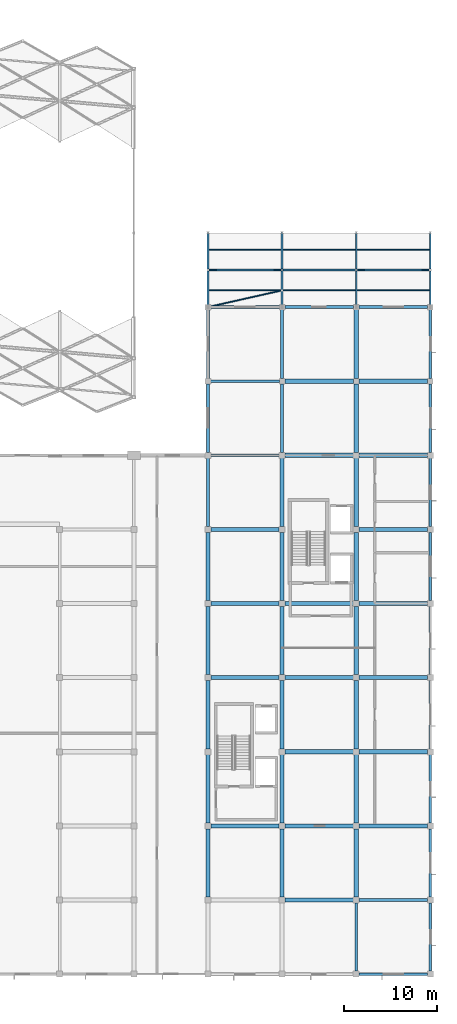
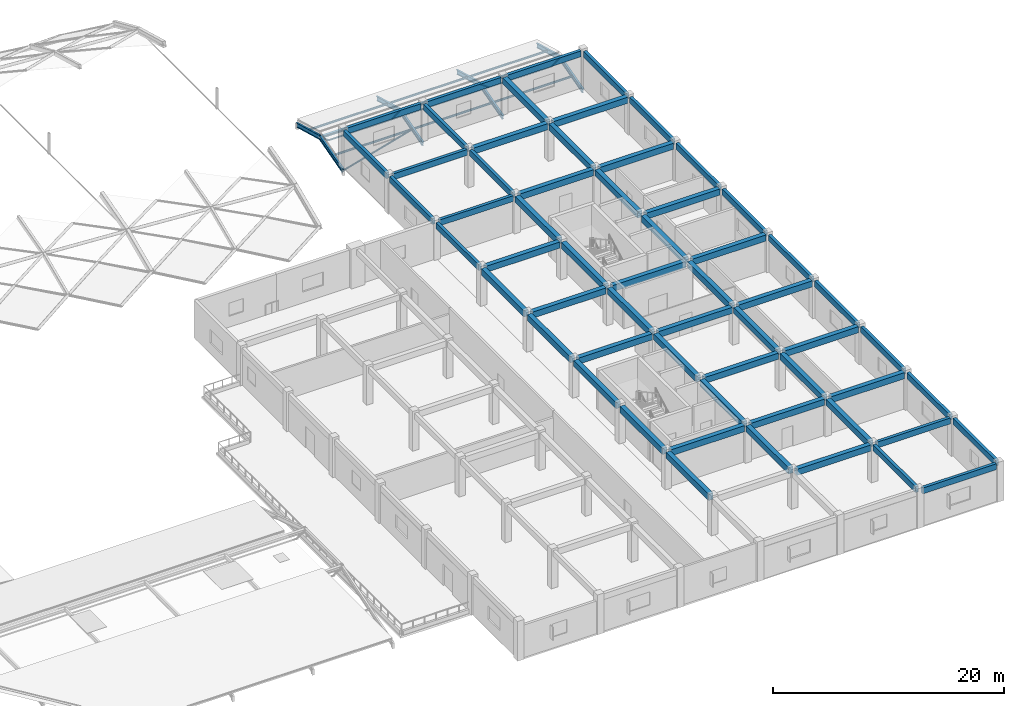
# One storey, part 17 of 54: 67 beams, 15 members.
"""IFC4 building model written with IfcOpenShell, lengths in metres."""

import ifcopenshell
import ifcopenshell.guid

model = None  # the IFC model being written
_history = None  # IfcOwnerHistory: only IFC2X3 demands one
_inside = {}  # id of a spatial element -> (the spatial element, [elements in it])
_under = {}  # id of a project, library or spatial element -> (it, [spatial elements below it])
_declared = {}  # id of a project -> (the project, [libraries it declares])
_typed = {}  # id of a type object -> (the type object, [elements of that type])
_made_of = {}  # id of a material, layer set ... -> (it, [elements and type objects made of it])


def new_model(schema):
    """Start an empty IFC model of exactly this schema.

    Asked for "IFC4X3", IfcOpenShell would pick the latest addendum, in which some entities
    have other attributes; the version numbers below select the first issue.
    IFC2X3 requires an IfcOwnerHistory on every rooted entity: one is made here for all.
    """
    global model, _history
    if schema == "IFC4X3":
        model = ifcopenshell.file(schema_version=(4, 3, 0, 0))
    else:
        model = ifcopenshell.file(schema=schema)
    _inside.clear()
    _under.clear()
    _declared.clear()
    _typed.clear()
    _made_of.clear()
    _history = None
    if model.schema == "IFC2X3":
        org = make("IfcOrganization", Name="unknown")
        user = make(
            "IfcPersonAndOrganization",
            ThePerson=make("IfcPerson", FamilyName="unknown"),
            TheOrganization=org,
        )
        app = make(
            "IfcApplication",
            ApplicationDeveloper=org,
            Version="unknown",
            ApplicationFullName="unknown",
            ApplicationIdentifier="unknown",
        )
        _history = make(
            "IfcOwnerHistory",
            OwningUser=user,
            OwningApplication=app,
            ChangeAction="ADDED",
            CreationDate=0,
        )
    return model


def make(cls, **values):
    """One entity of the class cls with the attributes given. An attribute that is None is left unset."""
    return model.create_entity(
        cls, **{name: value for name, value in values.items() if value is not None}
    )


def rooted(cls, **values):
    """An entity with a GlobalId (a new one), such as an element, a storey or a relation."""
    return make(cls, GlobalId=ifcopenshell.guid.new(), OwnerHistory=_history, **values)


def si_unit(unit_type, name, prefix=None):
    """IfcSIUnit, for example si_unit("LENGTHUNIT", "METRE", prefix="MILLI")."""
    return make("IfcSIUnit", UnitType=unit_type, Prefix=prefix, Name=name)


def assignment(units):
    """IfcUnitAssignment: the units of a project."""
    return None if units is None else make("IfcUnitAssignment", Units=units)


def point(xyz):
    """IfcCartesianPoint."""
    return None if xyz is None else make("IfcCartesianPoint", Coordinates=xyz)


def direction(xyz):
    """IfcDirection."""
    return None if xyz is None else make("IfcDirection", DirectionRatios=xyz)


def frame(location, z_axis=None, x_axis=None):
    """IfcAxis2Placement3D, a coordinate frame: its origin and axes. An axis left out is left unset."""
    return make(
        "IfcAxis2Placement3D",
        Location=point(location),
        Axis=direction(z_axis),
        RefDirection=direction(x_axis),
    )


def frame_2d(location, x_axis=None):
    """IfcAxis2Placement2D, a coordinate frame in the plane: its origin and x axis."""
    return make(
        "IfcAxis2Placement2D", Location=point(location), RefDirection=direction(x_axis)
    )


def origin():
    """The frame at (0, 0, 0) with its axes left unset."""
    return frame((0.0, 0.0, 0.0))


def origin_2d():
    """The frame at (0, 0) in the plane with its x axis left unset."""
    return frame_2d((0.0, 0.0))


def place(relative_to, where):
    """IfcLocalPlacement: puts the frame where relative to a parent placement (None: the world)."""
    return make(
        "IfcLocalPlacement", PlacementRelTo=relative_to, RelativePlacement=where
    )


def context(
    kind, dimensions, precision=None, world=None, true_north=None, identifier=None
):
    """IfcGeometricRepresentationContext, for example the 3D "Model" context."""
    return make(
        "IfcGeometricRepresentationContext",
        ContextIdentifier=identifier,
        ContextType=kind,
        CoordinateSpaceDimension=dimensions,
        Precision=precision,
        WorldCoordinateSystem=world,
        TrueNorth=true_north,
    )


def subcontext(parent, identifier, kind, view, scale=None):
    """IfcGeometricRepresentationSubContext, for example "Body" below "Model"."""
    return make(
        "IfcGeometricRepresentationSubContext",
        ContextIdentifier=identifier,
        ContextType=kind,
        ParentContext=parent,
        TargetScale=scale,
        TargetView=view,
    )


def project(units=None, contexts=None):
    """IfcProject with its units and contexts."""
    return rooted(
        "IfcProject",
        Name="project",
        RepresentationContexts=contexts,
        UnitsInContext=assignment(units),
    )


def spatial(cls, under=None, at=None, **own):
    """A site, building, storey or space (cls), placed at a placement, below another one or the project."""
    s = rooted(cls, ObjectPlacement=at, **own)
    if under is not None:
        _under.setdefault(under.id(), (under, []))[1].append(s)
    return s


def profile(cls, at=None, kind="AREA", **sizes):
    """A parametric profile (cls). Its sizes go by their IFC names, for example OverallWidth=200.0."""
    return make(cls, ProfileType=kind, Position=at, **sizes)


def rectangle(**sizes):
    """IfcRectangleProfileDef."""
    return profile("IfcRectangleProfileDef", **sizes)


def hollow_circle(**sizes):
    """IfcCircleHollowProfileDef."""
    return profile("IfcCircleHollowProfileDef", **sizes)


def i_section(**sizes):
    """IfcIShapeProfileDef."""
    return profile("IfcIShapeProfileDef", **sizes)


def extrude(swept, where, along, depth):
    """IfcExtrudedAreaSolid: the profile swept, set in the frame where, extruded along a direction by depth."""
    return make(
        "IfcExtrudedAreaSolid",
        SweptArea=swept,
        Position=where,
        ExtrudedDirection=direction(along),
        Depth=depth,
    )


def shape(context_of_items, identifier, shape_type, items):
    """IfcShapeRepresentation: the items that make up one representation, for example the "Body"."""
    return make(
        "IfcShapeRepresentation",
        ContextOfItems=context_of_items,
        RepresentationIdentifier=identifier,
        RepresentationType=shape_type,
        Items=items,
    )


def material(Name=None, Category=None):
    """IfcMaterial."""
    return make("IfcMaterial", Name=Name, Category=Category)


def material_profile(
    of_material, cross_section, Name=None, Category=None, Priority=None
):
    """IfcMaterialProfile: a cross section and its material."""
    return make(
        "IfcMaterialProfile",
        Name=Name,
        Material=of_material,
        Profile=cross_section,
        Priority=Priority,
        Category=Category,
    )


def profile_set(profiles, Name=None, composite=None):
    """IfcMaterialProfileSet."""
    return make(
        "IfcMaterialProfileSet",
        Name=Name,
        MaterialProfiles=profiles,
        CompositeProfile=composite,
    )


def made_of(thing, what):
    """Note that an element or type object is made of a material, layer set ...; save() writes the relation."""
    if what is not None:
        _made_of.setdefault(what.id(), (what, []))[1].append(thing)
    return thing


def type_object(cls, material=None, **own):
    """A type object (cls), such as IfcWallType, which elements share."""
    return made_of(rooted(cls, **own), material)


def element(
    cls,
    number,
    at=None,
    inside=None,
    cuts=None,
    type_object=None,
    material=None,
    context=None,
    identifier="Body",
    shape_type=None,
    held_by="IfcProductDefinitionShape",
    body=None,
    shapes=None,
    **own,
):
    """One element of the class cls, such as IfcWall. Its Tag is "e" and its number.

    at: its placement. inside: the storey or other place that contains it. cuts: it is an
    opening in that element (IfcRelVoidsElement). A single representation is given by context,
    identifier, shape_type and body (its items); several are given by shapes. held_by: the class
    of the entity that holds the representations. save() writes the other relations.
    """
    e = rooted(cls, Tag="e%d" % number, ObjectPlacement=at, **own)
    if body is not None:
        shapes = [shape(context, identifier, shape_type, body)]
    if shapes is not None:
        e.Representation = make(held_by, Representations=shapes)
    if inside is not None:
        _inside.setdefault(inside.id(), (inside, []))[1].append(e)
    if cuts is not None:
        rooted(
            "IfcRelVoidsElement", RelatingBuildingElement=cuts, RelatedOpeningElement=e
        )
    if type_object is not None:
        _typed.setdefault(type_object.id(), (type_object, []))[1].append(e)
    return made_of(e, material)


def aggregate(whole, parts):
    """IfcRelAggregates: a whole, such as a stair, and the parts it consists of."""
    return rooted("IfcRelAggregates", RelatingObject=whole, RelatedObjects=parts)


def save(model, path):
    """Write the relations noted so far, then the file.

    IfcRelAggregates (storeys below a building ...), IfcRelContainedInSpatialStructure (elements
    in a storey), IfcRelDefinesByType, IfcRelAssociatesMaterial and IfcRelDeclares: one each for
    every whole, place, type object, material and project.
    """
    for whole, parts in _under.values():
        aggregate(whole, parts)
    for where, things in _inside.values():
        rooted(
            "IfcRelContainedInSpatialStructure",
            RelatedElements=things,
            RelatingStructure=where,
        )
    for kind, things in _typed.values():
        rooted("IfcRelDefinesByType", RelatedObjects=things, RelatingType=kind)
    for what, things in _made_of.values():
        rooted("IfcRelAssociatesMaterial", RelatedObjects=things, RelatingMaterial=what)
    for by, libraries in _declared.values():
        rooted("IfcRelDeclares", RelatingContext=by, RelatedDefinitions=libraries)
    model.write(path)


model = new_model("IFC4")

# Units and contexts
model_context = context("Model", 3, precision=1e-05, world=origin(), true_north=direction((0.0, 1.0)))
body_context = subcontext(model_context, "Body", "Model", "MODEL_VIEW")
ifc_project = project(units=[si_unit("LENGTHUNIT", "METRE"), si_unit("AREAUNIT", "SQUARE_METRE"), si_unit("VOLUMEUNIT", "CUBIC_METRE"), si_unit("PLANEANGLEUNIT", "RADIAN"), si_unit("MASSUNIT", "GRAM", prefix="KILO")], contexts=[model_context])

# Site, building, storey
site_placement = place(None, origin())
site = spatial("IfcSite", under=ifc_project, at=site_placement, CompositionType="ELEMENT")
building_placement = place(site_placement, origin())
building = spatial("IfcBuilding", under=site, at=building_placement, Name="Kenh Van Central Station", CompositionType="ELEMENT")
storey_placement = place(building_placement, frame((0.0, 0.0, 15.0)))
storey = spatial("IfcBuildingStorey", under=building, at=storey_placement, Name="L03", CompositionType="ELEMENT", Elevation=15.0)

# Beams
ifc_material_1 = material(Name="Concrete C35/45", Category="concrete")
ifc_material_profile_1 = material_profile(ifc_material_1, rectangle(XDim=0.449951171875, YDim=0.64990234375, at=origin_2d()), Name="RC 450x650")
ifc_profile_set_1 = profile_set([ifc_material_profile_1], Name="Concrete C35/45")
beam_type_1 = type_object("IfcBeamType", Name="BM-RC-450x650", PredefinedType="BEAM", material=ifc_profile_set_1)
for number, where, z_axis, x_axis, name in (
    (1, (160.31494140625, 16.0, 3.635009765625), (1.0, 0.0, 0.0), (0.0, 1.0, 0.0), "L03 beam 1111"),
    (2, (152.31494140625, 24.0, 3.635009765625), (1.0, 0.0, 0.0), (0.0, 1.0, 0.0), "L03 beam 1114"),
    (3, (160.31494140625, 24.0, 3.635009765625), (1.0, 0.0, 0.0), (0.0, 1.0, 0.0), "L03 beam 1115"),
    (4, (168.31494140625, 24.0, 3.635009765625), (1.0, 0.0, 0.0), (0.0, 1.0, 0.0), "L03 beam 1116"),
    (5, (160.31494140625, 32.0, 3.635009765625), (1.0, 0.0, 0.0), (0.0, 1.0, 0.0), "L03 beam 1118"),
    (6, (168.31494140625, 32.0, 3.635009765625), (1.0, 0.0, 0.0), (0.0, 1.0, 0.0), "L03 beam 1119"),
    (7, (152.31494140625, 40.0, 3.635009765625), (1.0, 0.0, 0.0), (0.0, 1.0, 0.0), "L03 beam 1121"),
    (8, (160.31494140625, 40.0, 3.635009765625), (1.0, 0.0, 0.0), (0.0, 1.0, 0.0), "L03 beam 1122"),
    (9, (168.31494140625, 40.0, 3.635009765625), (1.0, 0.0, 0.0), (0.0, 1.0, 0.0), "L03 beam 1123"),
    (10, (152.31494140625, 48.0, 3.635009765625), (1.0, 0.0, 0.0), (0.0, 1.0, 0.0), "L03 beam 1125"),
    (11, (160.31494140625, 48.0, 3.635009765625), (1.0, 0.0, 0.0), (0.0, 1.0, 0.0), "L03 beam 1126"),
    (12, (168.31494140625, 48.0, 3.635009765625), (1.0, 0.0, 0.0), (0.0, 1.0, 0.0), "L03 beam 1127"),
    (13, (152.31494140625, 56.0, 3.635009765625), (1.0, 0.0, 0.0), (0.0, 1.0, 0.0), "L03 beam 1129"),
    (14, (168.31494140625, 56.0, 3.635009765625), (1.0, 0.0, 0.0), (0.0, 1.0, 0.0), "L03 beam 1130"),
    (15, (160.31494140625, 64.0, 3.635009765625), (1.0, 0.0, 0.0), (0.0, 1.0, 0.0), "L03 beam 1132"),
    (16, (168.31494140625, 64.0, 3.635009765625), (1.0, 0.0, 0.0), (0.0, 1.0, 0.0), "L03 beam 1133"),
):
    element("IfcBeam", number, at=place(storey_placement, frame(where, z_axis=z_axis, x_axis=x_axis)), inside=storey, type_object=beam_type_1, Name=name, PredefinedType="BEAM", context=body_context, shape_type="SweptSolid", body=[
        extrude(rectangle(XDim=0.449951171875, YDim=0.64990234375, at=origin_2d()), origin(), (0.0, 0.0, 1.0), 7.3701171875),
    ])
for number, where, z_axis, x_axis, name in (
    (17, (160.2900390625, 72.0, 3.635009765625), (1.0, 0.0, 0.0), (0.0, 1.0, 0.0), "L03 beam 1135"),
    (18, (168.2900390625, 72.0, 3.635009765625), (1.0, 0.0, 0.0), (0.0, 1.0, 0.0), "L03 beam 1136"),
):
    element("IfcBeam", number, at=place(storey_placement, frame(where, z_axis=z_axis, x_axis=x_axis)), inside=storey, type_object=beam_type_1, Name=name, PredefinedType="BEAM", context=body_context, shape_type="SweptSolid", body=[
        extrude(rectangle(XDim=0.449951171875, YDim=0.64990234375, at=origin_2d()), origin(), (0.0, 0.0, 1.0), 7.419921875),
    ])
for number, where, z_axis, x_axis, name in (
    (19, (152.0, 16.31494140625, 3.635009765625), (0.0, 1.0, 0.0), (-1.0, 0.0, 0.0), "L03 beam 1160"),
    (20, (152.0, 24.31494140625, 3.635009765625), (0.0, 1.0, 0.0), (-1.0, 0.0, 0.0), "L03 beam 1161"),
    (21, (152.0, 32.31494140625, 3.635009765625), (0.0, 1.0, 0.0), (-1.0, 0.0, 0.0), "L03 beam 1162"),
    (22, (152.0, 40.31494140625, 3.635009765625), (0.0, 1.0, 0.0), (-1.0, 0.0, 0.0), "L03 beam 1163"),
    (23, (152.0, 48.31494140625, 3.635009765625), (0.0, 1.0, 0.0), (-1.0, 0.0, 0.0), "L03 beam 1164"),
    (24, (160.0, 16.31494140625, 3.635009765625), (0.0, 1.0, 0.0), (-1.0, 0.0, 0.0), "L03 beam 1169"),
    (25, (160.0, 24.31494140625, 3.635009765625), (0.0, 1.0, 0.0), (-1.0, 0.0, 0.0), "L03 beam 1170"),
    (26, (160.0, 32.31494140625, 3.635009765625), (0.0, 1.0, 0.0), (-1.0, 0.0, 0.0), "L03 beam 1171"),
    (27, (160.0, 40.31494140625, 3.635009765625), (0.0, 1.0, 0.0), (-1.0, 0.0, 0.0), "L03 beam 1172"),
    (28, (160.0, 48.31494140625, 3.635009765625), (0.0, 1.0, 0.0), (-1.0, 0.0, 0.0), "L03 beam 1173"),
    (29, (160.0, 56.31494140625, 3.635009765625), (0.0, 1.0, 0.0), (-1.0, 0.0, 0.0), "L03 beam 1174"),
    (30, (168.0, 16.31494140625, 3.635009765625), (0.0, 1.0, 0.0), (-1.0, 0.0, 0.0), "L03 beam 1178"),
    (31, (168.0, 24.31494140625, 3.635009765625), (0.0, 1.0, 0.0), (-1.0, 0.0, 0.0), "L03 beam 1179"),
    (32, (168.0, 32.31494140625, 3.635009765625), (0.0, 1.0, 0.0), (-1.0, 0.0, 0.0), "L03 beam 1180"),
    (33, (168.0, 40.31494140625, 3.635009765625), (0.0, 1.0, 0.0), (-1.0, 0.0, 0.0), "L03 beam 1181"),
    (34, (168.0, 48.31494140625, 3.635009765625), (0.0, 1.0, 0.0), (-1.0, 0.0, 0.0), "L03 beam 1182"),
    (35, (168.0, 56.31494140625, 3.635009765625), (0.0, 1.0, 0.0), (-1.0, 0.0, 0.0), "L03 beam 1183"),
):
    element("IfcBeam", number, at=place(storey_placement, frame(where, z_axis=z_axis, x_axis=x_axis)), inside=storey, type_object=beam_type_1, Name=name, PredefinedType="BEAM", context=body_context, shape_type="SweptSolid", body=[
        extrude(rectangle(XDim=0.449951171875, YDim=0.64990234375, at=origin_2d()), origin(), (0.0, 0.0, 1.0), 7.3701171875),
    ])
beam_1_placement = place(storey_placement, frame((168.0, 64.31494140625, 3.635009765625), z_axis=(0.0, 1.0, 0.0), x_axis=(-1.0, 0.0, 0.0)))
element("IfcBeam", 36, at=beam_1_placement, inside=storey, type_object=beam_type_1, Name="L03 beam 1184", PredefinedType="BEAM", context=body_context, shape_type="SweptSolid", body=[
    extrude(rectangle(XDim=0.449951171875, YDim=0.64990234375, at=origin_2d()), origin(), (0.0, 0.0, 1.0), 7.39501953125),
])
beam_2_placement = place(storey_placement, frame((168.0, 72.2900390625, 3.635009765625), z_axis=(0.0, 1.0, 0.0), x_axis=(-1.0, 0.0, 0.0)))
element("IfcBeam", 37, at=beam_2_placement, inside=storey, type_object=beam_type_1, Name="L03 beam 1185", PredefinedType="BEAM", context=body_context, shape_type="SweptSolid", body=[
    extrude(rectangle(XDim=0.449951171875, YDim=0.64990234375, at=origin_2d()), origin(), (0.0, 0.0, 1.0), 7.419921875),
])
ifc_material_2 = material(Name="Steel S355", Category="steel")
ifc_material_profile_2 = material_profile(ifc_material_2, i_section(OverallWidth=0.18994140625, OverallDepth=0.449951171875, WebThickness=0.009521484375, FlangeThickness=0.0146484375, FilletRadius=0.02099609375, at=origin_2d()), Name="IPE 450")
ifc_profile_set_2 = profile_set([ifc_material_profile_2], Name="Steel S355")
beam_type_2 = type_object("IfcBeamType", Name="BM-STL-IPE450", PredefinedType="BEAM", material=ifc_profile_set_2)
for number, where, z_axis, x_axis, name in (
    (38, (152.0, 80.0, -0.481201171875), (0.0, 0.964199374188, 0.265178367925), (-1.0, 0.0, 0.0), "L03 roof rafter 155"),
    (39, (152.0, 84.0, 0.618896484375), (0.0, 0.964199374188, -0.265178367925), (-1.0, 0.0, 0.0), "L03 roof rafter 156"),
    (40, (160.0, 80.0, -0.481201171875), (0.0, 0.964199374188, 0.265178367925), (-1.0, 0.0, 0.0), "L03 roof rafter 157"),
    (41, (160.0, 84.0, 0.618896484375), (0.0, 0.964199374188, -0.265178367925), (-1.0, 0.0, 0.0), "L03 roof rafter 158"),
    (42, (168.0, 80.0, -0.481201171875), (0.0, 0.964199374188, 0.265178367925), (-1.0, 0.0, 0.0), "L03 roof rafter 159"),
    (43, (168.0, 84.0, 0.618896484375), (0.0, 0.964199374188, -0.265178367925), (-1.0, 0.0, 0.0), "L03 roof rafter 160"),
    (44, (176.0, 80.0, -0.481201171875), (0.0, 0.964199374188, 0.265178367925), (-1.0, 0.0, 0.0), "L03 roof rafter 161"),
    (45, (176.0, 84.0, 0.618896484375), (0.0, 0.964199374188, -0.265178367925), (-1.0, 0.0, 0.0), "L03 roof rafter 162"),
):
    element("IfcBeam", number, at=place(storey_placement, frame(where, z_axis=z_axis, x_axis=x_axis)), inside=storey, type_object=beam_type_2, Name=name, PredefinedType="BEAM", context=body_context, shape_type="SweptSolid", body=[
        extrude(i_section(OverallWidth=0.18994140625, OverallDepth=0.449951171875, WebThickness=0.009521484375, FlangeThickness=0.0146484375, FilletRadius=0.02099609375, at=origin_2d()), origin(), (0.0, 0.0, 1.0), 4.1484375),
    ])

# Members
ifc_material_profile_3 = material_profile(ifc_material_2, i_section(OverallWidth=0.10009765625, OverallDepth=0.199951171875, WebThickness=0.005615234375, FlangeThickness=0.008544921875, FilletRadius=0.011962890625, at=origin_2d()), Name="IPE 200")
ifc_profile_set_3 = profile_set([ifc_material_profile_3], Name="Steel S355")
member_type_1 = type_object("IfcMemberType", Name="MEM-PUR-IPE200", PredefinedType="PURLIN", material=ifc_profile_set_3)
for number, where, z_axis, x_axis, name in (
    (46, (152.0, 81.800048828125, 0.013916015625), (1.0, 0.0, 0.0), (0.0, 1.0, 0.0), "L03 roof purlin 071"),
    (47, (160.0, 81.800048828125, 0.013916015625), (1.0, 0.0, 0.0), (0.0, 1.0, 0.0), "L03 roof purlin 072"),
    (48, (168.0, 81.800048828125, 0.013916015625), (1.0, 0.0, 0.0), (0.0, 1.0, 0.0), "L03 roof purlin 073"),
    (49, (152.0, 86.199951171875, 0.013916015625), (1.0, 0.0, 0.0), (0.0, 1.0, 0.0), "L03 roof purlin 074"),
    (50, (160.0, 86.199951171875, 0.013916015625), (1.0, 0.0, 0.0), (0.0, 1.0, 0.0), "L03 roof purlin 075"),
    (51, (168.0, 86.199951171875, 0.013916015625), (1.0, 0.0, 0.0), (0.0, 1.0, 0.0), "L03 roof purlin 076"),
):
    element("IfcMember", number, at=place(storey_placement, frame(where, z_axis=z_axis, x_axis=x_axis)), inside=storey, type_object=member_type_1, Name=name, PredefinedType="PURLIN", context=body_context, shape_type="SweptSolid", body=[
        extrude(i_section(OverallWidth=0.10009765625, OverallDepth=0.199951171875, WebThickness=0.005615234375, FlangeThickness=0.008544921875, FilletRadius=0.011962890625, at=origin_2d()), origin(), (0.0, 0.0, 1.0), 8.0),
    ])
ifc_material_profile_4 = material_profile(ifc_material_2, hollow_circle(Radius=0.084228515625, WallThickness=0.008056640625, at=origin_2d()), Name="CHS 168.3x8")
ifc_profile_set_4 = profile_set([ifc_material_profile_4], Name="Steel S355")
member_type_2 = type_object("IfcMemberType", Name="MEM-ROOF-BRC168", PredefinedType="BRACE", material=ifc_profile_set_4)
member_1_placement = place(storey_placement, frame((152.0, 80.0, -0.481201171875), z_axis=(0.973834915401, 0.219118799782, 0.06027030055), x_axis=(-0.219517862832, 0.975608480846, 0.0)))
element("IfcMember", 52, at=member_1_placement, inside=storey, type_object=member_type_2, Name="L03 roof wind brace 047", PredefinedType="BRACE", context=body_context, shape_type="SweptSolid", body=[
    extrude(hollow_circle(Radius=0.084228515625, WallThickness=0.008056640625, at=origin_2d()), origin(), (0.0, 0.0, 1.0), 8.21484375),
])
member_2_placement = place(storey_placement, frame((152.85009765625, 84.0, -0.001220703125), z_axis=(1.0, 0.0, 0.0), x_axis=(0.0, 1.0, 0.0)))
element("IfcMember", 53, at=member_2_placement, inside=storey, type_object=member_type_2, Name="L03 roof truss lower chord 048", PredefinedType="BRACE", context=body_context, shape_type="SweptSolid", body=[
    extrude(hollow_circle(Radius=0.084228515625, WallThickness=0.008056640625, at=origin_2d()), origin(), (0.0, 0.0, 1.0), 22.2998046875),
])
for number, where, z_axis, x_axis, name in (
    (54, (152.85009765625, 84.0, -0.001220703125), (-0.807892458304, 0.0, 0.589329937993), (0.0, -1.0, 0.0), "L03 roof truss web diagonal 049"),
    (55, (159.14990234375, 84.0, -0.001220703125), (0.807892458304, 0.0, 0.589329937993), (0.0, 1.0, 0.0), "L03 roof truss web diagonal 050"),
    (56, (168.85009765625, 84.0, -0.001220703125), (-0.807892458304, 0.0, 0.589329937993), (0.0, -1.0, 0.0), "L03 roof truss web diagonal 051"),
    (57, (175.14990234375, 84.0, -0.001220703125), (0.807892458304, 0.0, 0.589329937993), (0.0, 1.0, 0.0), "L03 roof truss web diagonal 052"),
):
    element("IfcMember", number, at=place(storey_placement, frame(where, z_axis=z_axis, x_axis=x_axis)), inside=storey, type_object=member_type_2, Name=name, PredefinedType="BRACE", context=body_context, shape_type="SweptSolid", body=[
        extrude(hollow_circle(Radius=0.084228515625, WallThickness=0.008056640625, at=origin_2d()), origin(), (0.0, 0.0, 1.0), 1.05224609375),
    ])
ifc_material_profile_5 = material_profile(ifc_material_2, i_section(OverallWidth=0.239990234375, OverallDepth=0.22998046875, WebThickness=0.007568359375, FlangeThickness=0.011962890625, FilletRadius=0.02099609375, at=origin_2d()), Name="HEA 240")
ifc_profile_set_5 = profile_set([ifc_material_profile_5], Name="Steel S355")
member_type_3 = type_object("IfcMemberType", Name="MEM-ROOF-HEA240", PredefinedType="CHORD", material=ifc_profile_set_5)
for number, where, z_axis, x_axis, name in (
    (58, (152.0, 84.0, 0.618896484375), (1.0, 0.0, 0.0), (0.0, 1.0, 0.0), "L03 roof ridge chord 152"),
    (59, (160.0, 84.0, 0.618896484375), (1.0, 0.0, 0.0), (0.0, 1.0, 0.0), "L03 roof ridge chord 153"),
    (60, (168.0, 84.0, 0.618896484375), (1.0, 0.0, 0.0), (0.0, 1.0, 0.0), "L03 roof ridge chord 154"),
):
    element("IfcMember", number, at=place(storey_placement, frame(where, z_axis=z_axis, x_axis=x_axis)), inside=storey, type_object=member_type_3, Name=name, PredefinedType="CHORD", context=body_context, shape_type="SweptSolid", body=[
        extrude(i_section(OverallWidth=0.239990234375, OverallDepth=0.22998046875, WebThickness=0.007568359375, FlangeThickness=0.011962890625, FilletRadius=0.02099609375, at=origin_2d()), origin(), (0.0, 0.0, 1.0), 8.0),
    ])

# Beams
ifc_material_profile_6 = material_profile(ifc_material_1, rectangle(XDim=0.300048828125, YDim=0.6201171875, at=origin_2d()), Name="RC 300x620")
ifc_profile_set_6 = profile_set([ifc_material_profile_6], Name="Concrete C35/45")
beam_type_3 = type_object("IfcBeamType", Name="SPD-RC-300x620", PredefinedType="SPANDREL", material=ifc_profile_set_6)
for number, where, z_axis, x_axis, name in (
    (61, (168.31494140625, 8.0, 3.669921875), (1.0, 0.0, 0.0), (0.0, 1.0, 0.0), "L03 beam 1108"),
    (62, (168.31494140625, 16.0, 3.64990234375), (1.0, 0.0, 0.0), (0.0, 1.0, 0.0), "L03 beam 1112"),
    (63, (152.31494140625, 64.0, 3.64990234375), (1.0, 0.0, 0.0), (0.0, 1.0, 0.0), "L03 beam 1131"),
):
    element("IfcBeam", number, at=place(storey_placement, frame(where, z_axis=z_axis, x_axis=x_axis)), inside=storey, type_object=beam_type_3, Name=name, PredefinedType="SPANDREL", context=body_context, shape_type="SweptSolid", body=[
        extrude(rectangle(XDim=0.300048828125, YDim=0.6201171875, at=origin_2d()), origin(), (0.0, 0.0, 1.0), 7.3701171875),
    ])
for number, where, z_axis, x_axis, name in (
    (64, (152.2900390625, 72.0, 3.669921875), (1.0, 0.0, 0.0), (0.0, 1.0, 0.0), "L03 beam 1134"),
    (65, (152.2900390625, 80.0, 3.669921875), (1.0, 0.0, 0.0), (0.0, 1.0, 0.0), "L03 beam 1137"),
    (66, (160.2900390625, 80.0, 3.64990234375), (1.0, 0.0, 0.0), (0.0, 1.0, 0.0), "L03 beam 1138"),
    (67, (168.2900390625, 80.0, 3.64990234375), (1.0, 0.0, 0.0), (0.0, 1.0, 0.0), "L03 beam 1139"),
):
    element("IfcBeam", number, at=place(storey_placement, frame(where, z_axis=z_axis, x_axis=x_axis)), inside=storey, type_object=beam_type_3, Name=name, PredefinedType="SPANDREL", context=body_context, shape_type="SweptSolid", body=[
        extrude(rectangle(XDim=0.300048828125, YDim=0.6201171875, at=origin_2d()), origin(), (0.0, 0.0, 1.0), 7.419921875),
    ])
beam_3_placement = place(storey_placement, frame((152.0, 56.31494140625, 3.64990234375), z_axis=(0.0, 1.0, 0.0), x_axis=(-1.0, 0.0, 0.0)))
element("IfcBeam", 68, at=beam_3_placement, inside=storey, type_object=beam_type_3, Name="L03 beam 1165", PredefinedType="SPANDREL", context=body_context, shape_type="SweptSolid", body=[
    extrude(rectangle(XDim=0.300048828125, YDim=0.6201171875, at=origin_2d()), origin(), (0.0, 0.0, 1.0), 7.3701171875),
])
beam_4_placement = place(storey_placement, frame((152.0, 64.31494140625, 3.669921875), z_axis=(0.0, 1.0, 0.0), x_axis=(-1.0, 0.0, 0.0)))
element("IfcBeam", 69, at=beam_4_placement, inside=storey, type_object=beam_type_3, Name="L03 beam 1166", PredefinedType="SPANDREL", context=body_context, shape_type="SweptSolid", body=[
    extrude(rectangle(XDim=0.300048828125, YDim=0.6201171875, at=origin_2d()), origin(), (0.0, 0.0, 1.0), 7.39501953125),
])
beam_5_placement = place(storey_placement, frame((152.0, 72.2900390625, 3.669921875), z_axis=(0.0, 1.0, 0.0), x_axis=(-1.0, 0.0, 0.0)))
element("IfcBeam", 70, at=beam_5_placement, inside=storey, type_object=beam_type_3, Name="L03 beam 1167", PredefinedType="SPANDREL", context=body_context, shape_type="SweptSolid", body=[
    extrude(rectangle(XDim=0.300048828125, YDim=0.6201171875, at=origin_2d()), origin(), (0.0, 0.0, 1.0), 7.419921875),
])
beam_6_placement = place(storey_placement, frame((160.0, 64.31494140625, 3.64990234375), z_axis=(0.0, 1.0, 0.0), x_axis=(-1.0, 0.0, 0.0)))
element("IfcBeam", 71, at=beam_6_placement, inside=storey, type_object=beam_type_3, Name="L03 beam 1175", PredefinedType="SPANDREL", context=body_context, shape_type="SweptSolid", body=[
    extrude(rectangle(XDim=0.300048828125, YDim=0.6201171875, at=origin_2d()), origin(), (0.0, 0.0, 1.0), 7.39501953125),
])
beam_7_placement = place(storey_placement, frame((160.0, 72.2900390625, 3.64990234375), z_axis=(0.0, 1.0, 0.0), x_axis=(-1.0, 0.0, 0.0)))
element("IfcBeam", 72, at=beam_7_placement, inside=storey, type_object=beam_type_3, Name="L03 beam 1176", PredefinedType="SPANDREL", context=body_context, shape_type="SweptSolid", body=[
    extrude(rectangle(XDim=0.300048828125, YDim=0.6201171875, at=origin_2d()), origin(), (0.0, 0.0, 1.0), 7.419921875),
])
for number, where, z_axis, x_axis, name in (
    (73, (168.0, 8.31494140625, 3.675048828125), (0.0, 1.0, 0.0), (-1.0, 0.0, 0.0), "L03 beam 1177"),
    (74, (176.0, 8.31494140625, 3.669921875), (0.0, 1.0, 0.0), (-1.0, 0.0, 0.0), "L03 beam 1186"),
    (75, (176.0, 16.31494140625, 3.64990234375), (0.0, 1.0, 0.0), (-1.0, 0.0, 0.0), "L03 beam 1187"),
    (76, (176.0, 24.31494140625, 3.64990234375), (0.0, 1.0, 0.0), (-1.0, 0.0, 0.0), "L03 beam 1188"),
    (77, (176.0, 32.31494140625, 3.64990234375), (0.0, 1.0, 0.0), (-1.0, 0.0, 0.0), "L03 beam 1189"),
    (78, (176.0, 40.31494140625, 3.64990234375), (0.0, 1.0, 0.0), (-1.0, 0.0, 0.0), "L03 beam 1190"),
    (79, (176.0, 48.31494140625, 3.64990234375), (0.0, 1.0, 0.0), (-1.0, 0.0, 0.0), "L03 beam 1191"),
    (80, (176.0, 56.31494140625, 3.64990234375), (0.0, 1.0, 0.0), (-1.0, 0.0, 0.0), "L03 beam 1192"),
):
    element("IfcBeam", number, at=place(storey_placement, frame(where, z_axis=z_axis, x_axis=x_axis)), inside=storey, type_object=beam_type_3, Name=name, PredefinedType="SPANDREL", context=body_context, shape_type="SweptSolid", body=[
        extrude(rectangle(XDim=0.300048828125, YDim=0.6201171875, at=origin_2d()), origin(), (0.0, 0.0, 1.0), 7.3701171875),
    ])
beam_8_placement = place(storey_placement, frame((176.0, 64.31494140625, 3.64990234375), z_axis=(0.0, 1.0, 0.0), x_axis=(-1.0, 0.0, 0.0)))
element("IfcBeam", 81, at=beam_8_placement, inside=storey, type_object=beam_type_3, Name="L03 beam 1193", PredefinedType="SPANDREL", context=body_context, shape_type="SweptSolid", body=[
    extrude(rectangle(XDim=0.300048828125, YDim=0.6201171875, at=origin_2d()), origin(), (0.0, 0.0, 1.0), 7.39501953125),
])
beam_9_placement = place(storey_placement, frame((176.0, 72.2900390625, 3.64990234375), z_axis=(0.0, 1.0, 0.0), x_axis=(-1.0, 0.0, 0.0)))
element("IfcBeam", 82, at=beam_9_placement, inside=storey, type_object=beam_type_3, Name="L03 beam 1194", PredefinedType="SPANDREL", context=body_context, shape_type="SweptSolid", body=[
    extrude(rectangle(XDim=0.300048828125, YDim=0.6201171875, at=origin_2d()), origin(), (0.0, 0.0, 1.0), 7.419921875),
])

save(model, "model.ifc")
